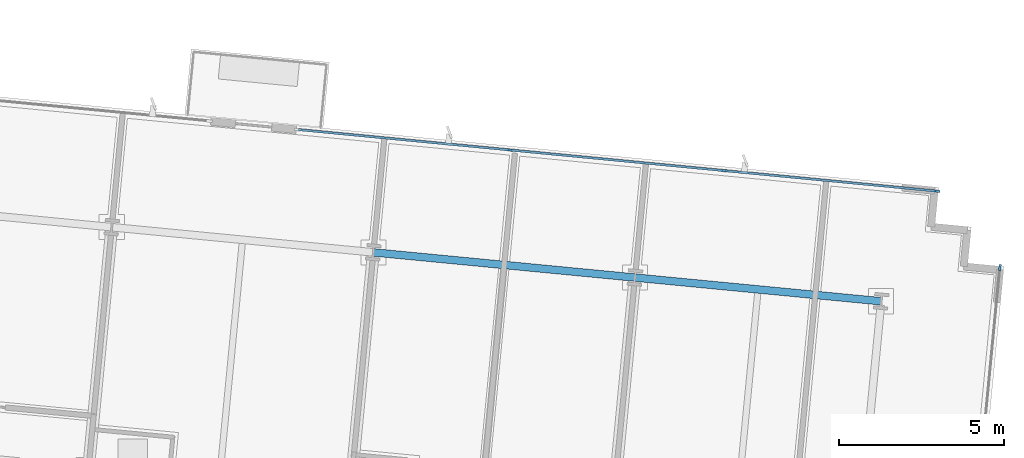
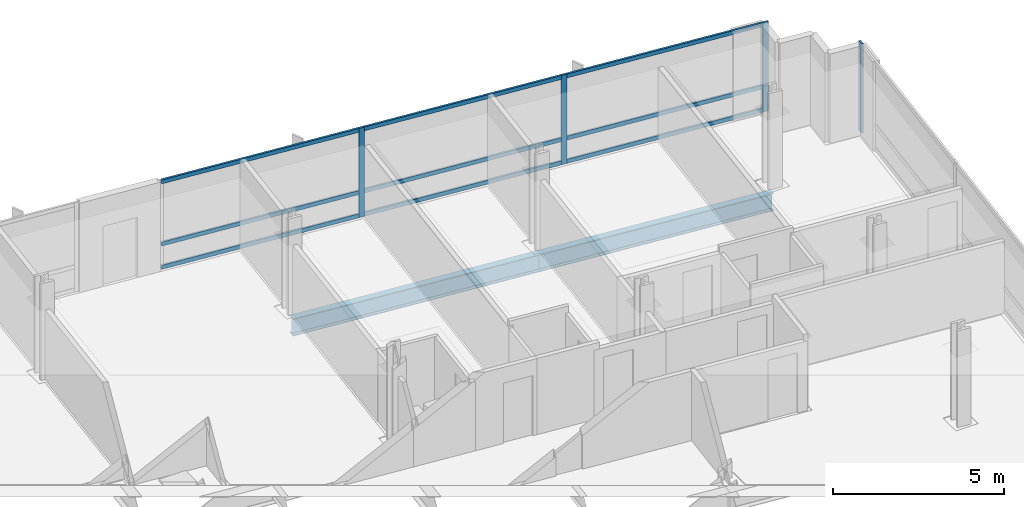
# One storey, part 8 of 17: 13 members, 2 beams, 2 elements without a shape of their own.
"""IFC4 building model written with IfcOpenShell, lengths in metres."""

import ifcopenshell
import ifcopenshell.guid

model = None  # the IFC model being written
_history = None  # IfcOwnerHistory: only IFC2X3 demands one
_inside = {}  # id of a spatial element -> (the spatial element, [elements in it])
_under = {}  # id of a project, library or spatial element -> (it, [spatial elements below it])
_declared = {}  # id of a project -> (the project, [libraries it declares])
_typed = {}  # id of a type object -> (the type object, [elements of that type])
_made_of = {}  # id of a material, layer set ... -> (it, [elements and type objects made of it])


def new_model(schema):
    """Start an empty IFC model of exactly this schema.

    Asked for "IFC4X3", IfcOpenShell would pick the latest addendum, in which some entities
    have other attributes; the version numbers below select the first issue.
    IFC2X3 requires an IfcOwnerHistory on every rooted entity: one is made here for all.
    """
    global model, _history
    if schema == "IFC4X3":
        model = ifcopenshell.file(schema_version=(4, 3, 0, 0))
    else:
        model = ifcopenshell.file(schema=schema)
    _inside.clear()
    _under.clear()
    _declared.clear()
    _typed.clear()
    _made_of.clear()
    _history = None
    if model.schema == "IFC2X3":
        org = make("IfcOrganization", Name="unknown")
        user = make(
            "IfcPersonAndOrganization",
            ThePerson=make("IfcPerson", FamilyName="unknown"),
            TheOrganization=org,
        )
        app = make(
            "IfcApplication",
            ApplicationDeveloper=org,
            Version="unknown",
            ApplicationFullName="unknown",
            ApplicationIdentifier="unknown",
        )
        _history = make(
            "IfcOwnerHistory",
            OwningUser=user,
            OwningApplication=app,
            ChangeAction="ADDED",
            CreationDate=0,
        )
    return model


def make(cls, **values):
    """One entity of the class cls with the attributes given. An attribute that is None is left unset."""
    return model.create_entity(
        cls, **{name: value for name, value in values.items() if value is not None}
    )


def rooted(cls, **values):
    """An entity with a GlobalId (a new one), such as an element, a storey or a relation."""
    return make(cls, GlobalId=ifcopenshell.guid.new(), OwnerHistory=_history, **values)


def si_unit(unit_type, name, prefix=None):
    """IfcSIUnit, for example si_unit("LENGTHUNIT", "METRE", prefix="MILLI")."""
    return make("IfcSIUnit", UnitType=unit_type, Prefix=prefix, Name=name)


def assignment(units):
    """IfcUnitAssignment: the units of a project."""
    return None if units is None else make("IfcUnitAssignment", Units=units)


def point(xyz):
    """IfcCartesianPoint."""
    return None if xyz is None else make("IfcCartesianPoint", Coordinates=xyz)


def direction(xyz):
    """IfcDirection."""
    return None if xyz is None else make("IfcDirection", DirectionRatios=xyz)


def frame(location, z_axis=None, x_axis=None):
    """IfcAxis2Placement3D, a coordinate frame: its origin and axes. An axis left out is left unset."""
    return make(
        "IfcAxis2Placement3D",
        Location=point(location),
        Axis=direction(z_axis),
        RefDirection=direction(x_axis),
    )


def frame_2d(location, x_axis=None):
    """IfcAxis2Placement2D, a coordinate frame in the plane: its origin and x axis."""
    return make(
        "IfcAxis2Placement2D", Location=point(location), RefDirection=direction(x_axis)
    )


def origin():
    """The frame at (0, 0, 0) with its axes left unset."""
    return frame((0.0, 0.0, 0.0))


def origin_2d():
    """The frame at (0, 0) in the plane with its x axis left unset."""
    return frame_2d((0.0, 0.0))


def place(relative_to, where):
    """IfcLocalPlacement: puts the frame where relative to a parent placement (None: the world)."""
    return make(
        "IfcLocalPlacement", PlacementRelTo=relative_to, RelativePlacement=where
    )


def context(
    kind, dimensions, precision=None, world=None, true_north=None, identifier=None
):
    """IfcGeometricRepresentationContext, for example the 3D "Model" context."""
    return make(
        "IfcGeometricRepresentationContext",
        ContextIdentifier=identifier,
        ContextType=kind,
        CoordinateSpaceDimension=dimensions,
        Precision=precision,
        WorldCoordinateSystem=world,
        TrueNorth=true_north,
    )


def subcontext(parent, identifier, kind, view, scale=None):
    """IfcGeometricRepresentationSubContext, for example "Body" below "Model"."""
    return make(
        "IfcGeometricRepresentationSubContext",
        ContextIdentifier=identifier,
        ContextType=kind,
        ParentContext=parent,
        TargetScale=scale,
        TargetView=view,
    )


def project(units=None, contexts=None):
    """IfcProject with its units and contexts."""
    return rooted(
        "IfcProject",
        Name="project",
        RepresentationContexts=contexts,
        UnitsInContext=assignment(units),
    )


def spatial(cls, under=None, at=None, **own):
    """A site, building, storey or space (cls), placed at a placement, below another one or the project."""
    s = rooted(cls, ObjectPlacement=at, **own)
    if under is not None:
        _under.setdefault(under.id(), (under, []))[1].append(s)
    return s


def profile(cls, at=None, kind="AREA", **sizes):
    """A parametric profile (cls). Its sizes go by their IFC names, for example OverallWidth=200.0."""
    return make(cls, ProfileType=kind, Position=at, **sizes)


def rectangle(**sizes):
    """IfcRectangleProfileDef."""
    return profile("IfcRectangleProfileDef", **sizes)


def i_section(**sizes):
    """IfcIShapeProfileDef."""
    return profile("IfcIShapeProfileDef", **sizes)


def extrude(swept, where, along, depth):
    """IfcExtrudedAreaSolid: the profile swept, set in the frame where, extruded along a direction by depth."""
    return make(
        "IfcExtrudedAreaSolid",
        SweptArea=swept,
        Position=where,
        ExtrudedDirection=direction(along),
        Depth=depth,
    )


def shape(context_of_items, identifier, shape_type, items):
    """IfcShapeRepresentation: the items that make up one representation, for example the "Body"."""
    return make(
        "IfcShapeRepresentation",
        ContextOfItems=context_of_items,
        RepresentationIdentifier=identifier,
        RepresentationType=shape_type,
        Items=items,
    )


def material(Name=None, Category=None):
    """IfcMaterial."""
    return make("IfcMaterial", Name=Name, Category=Category)


def material_profile(
    of_material, cross_section, Name=None, Category=None, Priority=None
):
    """IfcMaterialProfile: a cross section and its material."""
    return make(
        "IfcMaterialProfile",
        Name=Name,
        Material=of_material,
        Profile=cross_section,
        Priority=Priority,
        Category=Category,
    )


def profile_set(profiles, Name=None, composite=None):
    """IfcMaterialProfileSet."""
    return make(
        "IfcMaterialProfileSet",
        Name=Name,
        MaterialProfiles=profiles,
        CompositeProfile=composite,
    )


def made_of(thing, what):
    """Note that an element or type object is made of a material, layer set ...; save() writes the relation."""
    if what is not None:
        _made_of.setdefault(what.id(), (what, []))[1].append(thing)
    return thing


def type_object(cls, material=None, **own):
    """A type object (cls), such as IfcWallType, which elements share."""
    return made_of(rooted(cls, **own), material)


def element(
    cls,
    number,
    at=None,
    inside=None,
    cuts=None,
    type_object=None,
    material=None,
    context=None,
    identifier="Body",
    shape_type=None,
    held_by="IfcProductDefinitionShape",
    body=None,
    shapes=None,
    **own,
):
    """One element of the class cls, such as IfcWall. Its Tag is "e" and its number.

    at: its placement. inside: the storey or other place that contains it. cuts: it is an
    opening in that element (IfcRelVoidsElement). A single representation is given by context,
    identifier, shape_type and body (its items); several are given by shapes. held_by: the class
    of the entity that holds the representations. save() writes the other relations.
    """
    e = rooted(cls, Tag="e%d" % number, ObjectPlacement=at, **own)
    if body is not None:
        shapes = [shape(context, identifier, shape_type, body)]
    if shapes is not None:
        e.Representation = make(held_by, Representations=shapes)
    if inside is not None:
        _inside.setdefault(inside.id(), (inside, []))[1].append(e)
    if cuts is not None:
        rooted(
            "IfcRelVoidsElement", RelatingBuildingElement=cuts, RelatedOpeningElement=e
        )
    if type_object is not None:
        _typed.setdefault(type_object.id(), (type_object, []))[1].append(e)
    return made_of(e, material)


def aggregate(whole, parts):
    """IfcRelAggregates: a whole, such as a stair, and the parts it consists of."""
    return rooted("IfcRelAggregates", RelatingObject=whole, RelatedObjects=parts)


def save(model, path):
    """Write the relations noted so far, then the file.

    IfcRelAggregates (storeys below a building ...), IfcRelContainedInSpatialStructure (elements
    in a storey), IfcRelDefinesByType, IfcRelAssociatesMaterial and IfcRelDeclares: one each for
    every whole, place, type object, material and project.
    """
    for whole, parts in _under.values():
        aggregate(whole, parts)
    for where, things in _inside.values():
        rooted(
            "IfcRelContainedInSpatialStructure",
            RelatedElements=things,
            RelatingStructure=where,
        )
    for kind, things in _typed.values():
        rooted("IfcRelDefinesByType", RelatedObjects=things, RelatingType=kind)
    for what, things in _made_of.values():
        rooted("IfcRelAssociatesMaterial", RelatedObjects=things, RelatingMaterial=what)
    for by, libraries in _declared.values():
        rooted("IfcRelDeclares", RelatingContext=by, RelatedDefinitions=libraries)
    model.write(path)


model = new_model("IFC4")

# Units and contexts
model_context = context("Model", 3, precision=1e-05, world=origin(), true_north=direction((0.0, 1.0)))
body_context = subcontext(model_context, "Body", "Model", "MODEL_VIEW")
ifc_project = project(units=[si_unit("LENGTHUNIT", "METRE"), si_unit("AREAUNIT", "SQUARE_METRE"), si_unit("VOLUMEUNIT", "CUBIC_METRE"), si_unit("PLANEANGLEUNIT", "RADIAN"), si_unit("MASSUNIT", "GRAM", prefix="KILO")], contexts=[model_context])

# Site, building, storey
site_placement = place(None, origin())
site = spatial("IfcSite", under=ifc_project, at=site_placement, CompositionType="ELEMENT")
building_placement = place(site_placement, origin())
building = spatial("IfcBuilding", under=site, at=building_placement, Name="Solmavex Isthmus Hotel", CompositionType="ELEMENT")
storey_placement = place(building_placement, frame((0.0, 0.0, 146.25)))
storey = spatial("IfcBuildingStorey", under=building, at=storey_placement, Name="L39", CompositionType="ELEMENT", Elevation=146.25)

# Beams
ifc_material_1 = material(Name="Steel ASTM A992 Grade 50", Category="steel")
ifc_material_profile_1 = material_profile(ifc_material_1, i_section(OverallWidth=0.230224609375, OverallDepth=0.617431640625, WebThickness=0.01318359375, FlangeThickness=0.022216796875, FilletRadius=0.01513671875, at=origin_2d()), Name="W24X94")
ifc_profile_set_1 = profile_set([ifc_material_profile_1], Name="Steel ASTM A992 Grade 50")
beam_type = type_object("IfcBeamType", Name="BM-SP-W24X94", PredefinedType="SPANDREL", material=ifc_profile_set_1)
beam_1_placement = place(storey_placement, frame((9.1953125, 17.966552734375, -0.56884765625), z_axis=(0.995397440011, -0.095832856685, 0.0), x_axis=(0.095832856685, 0.995397440011, 0.0)))
element("IfcBeam", 1, at=beam_1_placement, inside=storey, type_object=beam_type, Name="Floor Girder L39-UG19", PredefinedType="SPANDREL", context=body_context, shape_type="SweptSolid", body=[
    extrude(i_section(OverallWidth=0.230224609375, OverallDepth=0.617431640625, WebThickness=0.01318359375, FlangeThickness=0.022216796875, FilletRadius=0.01513671875, at=origin_2d()), origin(), (0.0, 0.0, 1.0), 7.9560546875),
])
beam_2_placement = place(storey_placement, frame((17.11474609375, 17.2041015625, -0.56884765625), z_axis=(0.995395279593, -0.095855293875, 0.0), x_axis=(0.095855293875, 0.995395279593, 0.0)))
element("IfcBeam", 2, at=beam_2_placement, inside=storey, type_object=beam_type, Name="Floor Girder L39-UG20", PredefinedType="SPANDREL", context=body_context, shape_type="SweptSolid", body=[
    extrude(i_section(OverallWidth=0.230224609375, OverallDepth=0.617431640625, WebThickness=0.01318359375, FlangeThickness=0.022216796875, FilletRadius=0.01513671875, at=origin_2d()), origin(), (0.0, 0.0, 1.0), 7.488037109375),
])

# Curtain wall, members
ifc_material_2 = material(Name="Aluminium alloy 6063-T6", Category="aluminium")
curtain_wall_type = type_object("IfcCurtainWallType", Name="CW-SYS-03", PredefinedType="NOTDEFINED", material=ifc_material_2)
curtain_wall_1_placement = place(storey_placement, origin())
curtain_wall_1 = element("IfcCurtainWall", 3, at=curtain_wall_1_placement, inside=storey, type_object=curtain_wall_type, Name="Stick Curtain Wall CWL-L39-N3", PredefinedType="NOTDEFINED")
ifc_material_profile_2 = material_profile(ifc_material_2, rectangle(XDim=0.070068359375, YDim=0.179931640625, at=origin_2d()), Name="CWM-70X180")
ifc_profile_set_2 = profile_set([ifc_material_profile_2], Name="Aluminium alloy 6063-T6")
member_type_1 = type_object("IfcMemberType", Name="CW-SYS-03-MUL", PredefinedType="MULLION", material=ifc_profile_set_2)
member_1_placement = place(storey_placement, frame((13.340576171875, 21.0634765625, 0.0), z_axis=(0.0, 0.0, 1.0), x_axis=(0.095845735304, 0.995396200025, 0.0)))
member_1 = element("IfcMember", 4, at=member_1_placement, type_object=member_type_1, Name="CW-03 mullion 2", PredefinedType="MULLION", context=body_context, shape_type="SweptSolid", body=[
    extrude(rectangle(XDim=0.070068359375, YDim=0.179931640625, at=origin_2d()), origin(), (0.0, 0.0, 1.0), 3.18994140625),
])
member_2_placement = place(storey_placement, frame((19.818115234375, 20.439697265625, 0.0), z_axis=(0.0, 0.0, 1.0), x_axis=(0.095845735304, 0.995396200025, 0.0)))
member_2 = element("IfcMember", 5, at=member_2_placement, type_object=member_type_1, Name="CW-03 mullion 3", PredefinedType="MULLION", context=body_context, shape_type="SweptSolid", body=[
    extrude(rectangle(XDim=0.070068359375, YDim=0.179931640625, at=origin_2d()), origin(), (0.0, 0.0, 1.0), 3.18994140625),
])
member_3_placement = place(storey_placement, frame((26.260498046875, 19.819580078125, 0.0), z_axis=(0.0, 0.0, 1.0), x_axis=(0.095845735304, 0.995396200025, 0.0)))
member_3 = element("IfcMember", 6, at=member_3_placement, type_object=member_type_1, Name="CW-03 mullion 4", PredefinedType="MULLION", context=body_context, shape_type="SweptSolid", body=[
    extrude(rectangle(XDim=0.070068359375, YDim=0.179931640625, at=origin_2d()), origin(), (0.0, 0.0, 1.0), 3.18994140625),
])

# Curtain wall, member
curtain_wall_2_placement = place(storey_placement, origin())
curtain_wall_2 = element("IfcCurtainWall", 7, at=curtain_wall_2_placement, inside=storey, type_object=curtain_wall_type, Name="Stick Curtain Wall CWL-L39-E1", PredefinedType="NOTDEFINED")
member_4_placement = place(storey_placement, frame((28.1630859375, 17.511474609375, 0.0), z_axis=(0.0, 0.0, 1.0), x_axis=(-0.995396190038, 0.09584583902, 0.0)))
member_4 = element("IfcMember", 8, at=member_4_placement, type_object=member_type_1, Name="CW-03 mullion 6", PredefinedType="MULLION", context=body_context, shape_type="SweptSolid", body=[
    extrude(rectangle(XDim=0.070068359375, YDim=0.179931640625, at=origin_2d()), origin(), (0.0, 0.0, 1.0), 3.18994140625),
])
aggregate(curtain_wall_2, [member_4])

# Member
ifc_material_profile_3 = material_profile(ifc_material_2, rectangle(XDim=0.070068359375, YDim=0.139892578125, at=origin_2d()), Name="CWT-70X140")
ifc_profile_set_3 = profile_set([ifc_material_profile_3], Name="Aluminium alloy 6063-T6")
member_type_2 = type_object("IfcMemberType", Name="CW-SYS-03-TRN", PredefinedType="USERDEFINED", material=ifc_profile_set_3)
member_5_placement = place(storey_placement, frame((6.932861328125, 21.680419921875, 0.070068359375), z_axis=(0.995398123793, -0.095825754103, 0.0), x_axis=(0.095825754103, 0.995398123793, 0.0)))
member_5 = element("IfcMember", 9, at=member_5_placement, type_object=member_type_2, Name="CW-03 transom 1.1", ObjectType="TRANSOM", PredefinedType="USERDEFINED", context=body_context, shape_type="SweptSolid", body=[
    extrude(rectangle(XDim=0.070068359375, YDim=0.139892578125, at=origin_2d()), origin(), (0.0, 0.0, 1.0), 6.402587890625),
])

member_6_placement = place(storey_placement, frame((6.932861328125, 21.680419921875, 0.89990234375), z_axis=(0.995398123793, -0.095825754103, 0.0), x_axis=(0.095825754103, 0.995398123793, 0.0)))
member_6 = element("IfcMember", 10, at=member_6_placement, type_object=member_type_2, Name="CW-03 transom 1.2", ObjectType="TRANSOM", PredefinedType="USERDEFINED", context=body_context, shape_type="SweptSolid", body=[
    extrude(rectangle(XDim=0.070068359375, YDim=0.139892578125, at=origin_2d()), origin(), (0.0, 0.0, 1.0), 6.402587890625),
])

member_7_placement = place(storey_placement, frame((6.932861328125, 21.680419921875, 3.1201171875), z_axis=(0.995398123793, -0.095825754103, 0.0), x_axis=(0.095825754103, 0.995398123793, 0.0)))
member_7 = element("IfcMember", 11, at=member_7_placement, type_object=member_type_2, Name="CW-03 transom 1.3", ObjectType="TRANSOM", PredefinedType="USERDEFINED", context=body_context, shape_type="SweptSolid", body=[
    extrude(rectangle(XDim=0.070068359375, YDim=0.139892578125, at=origin_2d()), origin(), (0.0, 0.0, 1.0), 6.402587890625),
])

member_8_placement = place(storey_placement, frame((13.37548828125, 21.06005859375, 0.070068359375), z_axis=(0.995396930529, -0.095838148421, 0.0), x_axis=(0.095838148421, 0.995396930529, 0.0)))
member_8 = element("IfcMember", 12, at=member_8_placement, type_object=member_type_2, Name="CW-03 transom 2.1", ObjectType="TRANSOM", PredefinedType="USERDEFINED", context=body_context, shape_type="SweptSolid", body=[
    extrude(rectangle(XDim=0.070068359375, YDim=0.139892578125, at=origin_2d()), origin(), (0.0, 0.0, 1.0), 6.437255859375),
])

member_9_placement = place(storey_placement, frame((13.37548828125, 21.06005859375, 0.89990234375), z_axis=(0.995396930529, -0.095838148421, 0.0), x_axis=(0.095838148421, 0.995396930529, 0.0)))
member_9 = element("IfcMember", 13, at=member_9_placement, type_object=member_type_2, Name="CW-03 transom 2.2", ObjectType="TRANSOM", PredefinedType="USERDEFINED", context=body_context, shape_type="SweptSolid", body=[
    extrude(rectangle(XDim=0.070068359375, YDim=0.139892578125, at=origin_2d()), origin(), (0.0, 0.0, 1.0), 6.437255859375),
])

member_10_placement = place(storey_placement, frame((13.37548828125, 21.06005859375, 3.1201171875), z_axis=(0.995396930529, -0.095838148421, 0.0), x_axis=(0.095838148421, 0.995396930529, 0.0)))
member_10 = element("IfcMember", 14, at=member_10_placement, type_object=member_type_2, Name="CW-03 transom 2.3", ObjectType="TRANSOM", PredefinedType="USERDEFINED", context=body_context, shape_type="SweptSolid", body=[
    extrude(rectangle(XDim=0.070068359375, YDim=0.139892578125, at=origin_2d()), origin(), (0.0, 0.0, 1.0), 6.437255859375),
])

member_11_placement = place(storey_placement, frame((19.852783203125, 20.4365234375, 0.070068359375), z_axis=(0.995394485876, -0.09586353576, 0.0), x_axis=(0.09586353576, 0.995394485876, 0.0)))
member_11 = element("IfcMember", 15, at=member_11_placement, type_object=member_type_2, Name="CW-03 transom 3.1", ObjectType="TRANSOM", PredefinedType="USERDEFINED", context=body_context, shape_type="SweptSolid", body=[
    extrude(rectangle(XDim=0.070068359375, YDim=0.139892578125, at=origin_2d()), origin(), (0.0, 0.0, 1.0), 6.402587890625),
])

member_12_placement = place(storey_placement, frame((19.852783203125, 20.4365234375, 0.89990234375), z_axis=(0.995394485876, -0.09586353576, 0.0), x_axis=(0.09586353576, 0.995394485876, 0.0)))
member_12 = element("IfcMember", 16, at=member_12_placement, type_object=member_type_2, Name="CW-03 transom 3.2", ObjectType="TRANSOM", PredefinedType="USERDEFINED", context=body_context, shape_type="SweptSolid", body=[
    extrude(rectangle(XDim=0.070068359375, YDim=0.139892578125, at=origin_2d()), origin(), (0.0, 0.0, 1.0), 6.402587890625),
])

member_13_placement = place(storey_placement, frame((19.852783203125, 20.4365234375, 3.1201171875), z_axis=(0.995394485876, -0.09586353576, 0.0), x_axis=(0.09586353576, 0.995394485876, 0.0)))
member_13 = element("IfcMember", 17, at=member_13_placement, type_object=member_type_2, Name="CW-03 transom 3.3", ObjectType="TRANSOM", PredefinedType="USERDEFINED", context=body_context, shape_type="SweptSolid", body=[
    extrude(rectangle(XDim=0.070068359375, YDim=0.139892578125, at=origin_2d()), origin(), (0.0, 0.0, 1.0), 6.402587890625),
])

aggregate(curtain_wall_1, [member_1, member_2, member_3, member_5, member_6, member_7, member_8, member_9, member_10, member_11, member_12, member_13])

save(model, "model.ifc")
